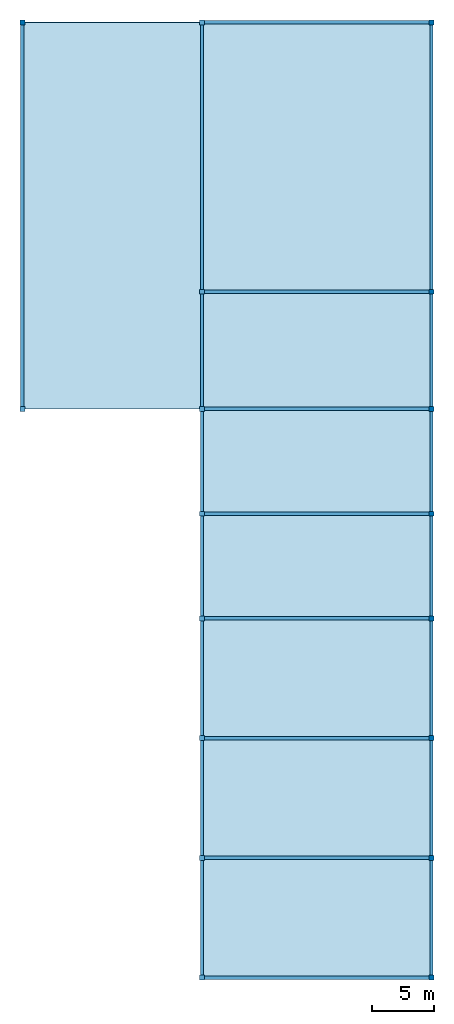
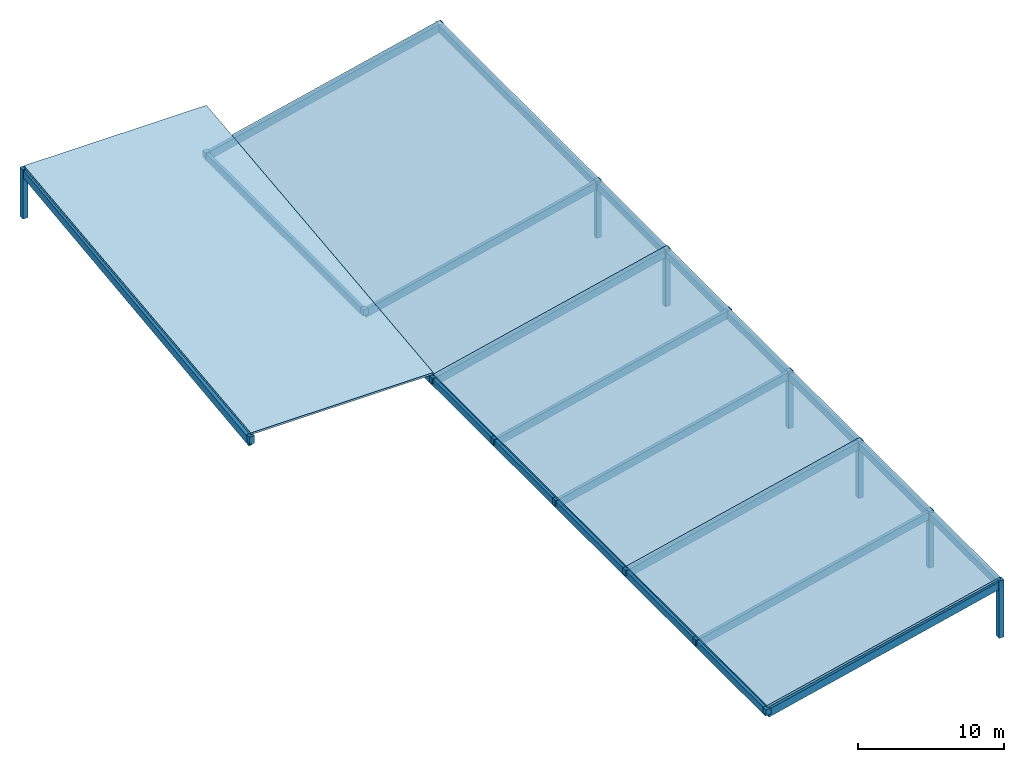
# One storey: 18 columns, 14 beams, 9 members, 4 slabs, 1 element without a shape of its own.
"""IFC4 building model written with IfcOpenShell, lengths in metres."""

import ifcopenshell
import ifcopenshell.guid

model = None  # the IFC model being written
_history = None  # IfcOwnerHistory: only IFC2X3 demands one
_inside = {}  # id of a spatial element -> (the spatial element, [elements in it])
_under = {}  # id of a project, library or spatial element -> (it, [spatial elements below it])
_declared = {}  # id of a project -> (the project, [libraries it declares])
_typed = {}  # id of a type object -> (the type object, [elements of that type])
_made_of = {}  # id of a material, layer set ... -> (it, [elements and type objects made of it])


def new_model(schema):
    """Start an empty IFC model of exactly this schema.

    Asked for "IFC4X3", IfcOpenShell would pick the latest addendum, in which some entities
    have other attributes; the version numbers below select the first issue.
    IFC2X3 requires an IfcOwnerHistory on every rooted entity: one is made here for all.
    """
    global model, _history
    if schema == "IFC4X3":
        model = ifcopenshell.file(schema_version=(4, 3, 0, 0))
    else:
        model = ifcopenshell.file(schema=schema)
    _inside.clear()
    _under.clear()
    _declared.clear()
    _typed.clear()
    _made_of.clear()
    _history = None
    if model.schema == "IFC2X3":
        org = make("IfcOrganization", Name="unknown")
        user = make(
            "IfcPersonAndOrganization",
            ThePerson=make("IfcPerson", FamilyName="unknown"),
            TheOrganization=org,
        )
        app = make(
            "IfcApplication",
            ApplicationDeveloper=org,
            Version="unknown",
            ApplicationFullName="unknown",
            ApplicationIdentifier="unknown",
        )
        _history = make(
            "IfcOwnerHistory",
            OwningUser=user,
            OwningApplication=app,
            ChangeAction="ADDED",
            CreationDate=0,
        )
    return model


def make(cls, **values):
    """One entity of the class cls with the attributes given. An attribute that is None is left unset."""
    return model.create_entity(
        cls, **{name: value for name, value in values.items() if value is not None}
    )


def rooted(cls, **values):
    """An entity with a GlobalId (a new one), such as an element, a storey or a relation."""
    return make(cls, GlobalId=ifcopenshell.guid.new(), OwnerHistory=_history, **values)


def si_unit(unit_type, name, prefix=None):
    """IfcSIUnit, for example si_unit("LENGTHUNIT", "METRE", prefix="MILLI")."""
    return make("IfcSIUnit", UnitType=unit_type, Prefix=prefix, Name=name)


def assignment(units):
    """IfcUnitAssignment: the units of a project."""
    return None if units is None else make("IfcUnitAssignment", Units=units)


def point(xyz):
    """IfcCartesianPoint."""
    return None if xyz is None else make("IfcCartesianPoint", Coordinates=xyz)


def direction(xyz):
    """IfcDirection."""
    return None if xyz is None else make("IfcDirection", DirectionRatios=xyz)


def frame(location, z_axis=None, x_axis=None):
    """IfcAxis2Placement3D, a coordinate frame: its origin and axes. An axis left out is left unset."""
    return make(
        "IfcAxis2Placement3D",
        Location=point(location),
        Axis=direction(z_axis),
        RefDirection=direction(x_axis),
    )


def frame_2d(location, x_axis=None):
    """IfcAxis2Placement2D, a coordinate frame in the plane: its origin and x axis."""
    return make(
        "IfcAxis2Placement2D", Location=point(location), RefDirection=direction(x_axis)
    )


def origin():
    """The frame at (0, 0, 0) with its axes left unset."""
    return frame((0.0, 0.0, 0.0))


def origin_2d():
    """The frame at (0, 0) in the plane with its x axis left unset."""
    return frame_2d((0.0, 0.0))


def place(relative_to, where):
    """IfcLocalPlacement: puts the frame where relative to a parent placement (None: the world)."""
    return make(
        "IfcLocalPlacement", PlacementRelTo=relative_to, RelativePlacement=where
    )


def context(
    kind, dimensions, precision=None, world=None, true_north=None, identifier=None
):
    """IfcGeometricRepresentationContext, for example the 3D "Model" context."""
    return make(
        "IfcGeometricRepresentationContext",
        ContextIdentifier=identifier,
        ContextType=kind,
        CoordinateSpaceDimension=dimensions,
        Precision=precision,
        WorldCoordinateSystem=world,
        TrueNorth=true_north,
    )


def subcontext(parent, identifier, kind, view, scale=None):
    """IfcGeometricRepresentationSubContext, for example "Body" below "Model"."""
    return make(
        "IfcGeometricRepresentationSubContext",
        ContextIdentifier=identifier,
        ContextType=kind,
        ParentContext=parent,
        TargetScale=scale,
        TargetView=view,
    )


def project(units=None, contexts=None):
    """IfcProject with its units and contexts."""
    return rooted(
        "IfcProject",
        Name="project",
        RepresentationContexts=contexts,
        UnitsInContext=assignment(units),
    )


def spatial(cls, under=None, at=None, **own):
    """A site, building, storey or space (cls), placed at a placement, below another one or the project."""
    s = rooted(cls, ObjectPlacement=at, **own)
    if under is not None:
        _under.setdefault(under.id(), (under, []))[1].append(s)
    return s


def polyline(points):
    """IfcPolyline through the points."""
    return make("IfcPolyline", Points=[point(p) for p in points])


def profile(cls, at=None, kind="AREA", **sizes):
    """A parametric profile (cls). Its sizes go by their IFC names, for example OverallWidth=200.0."""
    return make(cls, ProfileType=kind, Position=at, **sizes)


def rectangle(**sizes):
    """IfcRectangleProfileDef."""
    return profile("IfcRectangleProfileDef", **sizes)


def outline(outer, holes=None, kind="AREA"):
    """IfcArbitraryClosedProfileDef: a profile drawn as a closed curve; with holes, ...WithVoids."""
    if holes is None:
        return make("IfcArbitraryClosedProfileDef", ProfileType=kind, OuterCurve=outer)
    return make(
        "IfcArbitraryProfileDefWithVoids",
        ProfileType=kind,
        OuterCurve=outer,
        InnerCurves=holes,
    )


def extrude(swept, where, along, depth):
    """IfcExtrudedAreaSolid: the profile swept, set in the frame where, extruded along a direction by depth."""
    return make(
        "IfcExtrudedAreaSolid",
        SweptArea=swept,
        Position=where,
        ExtrudedDirection=direction(along),
        Depth=depth,
    )


def shape(context_of_items, identifier, shape_type, items):
    """IfcShapeRepresentation: the items that make up one representation, for example the "Body"."""
    return make(
        "IfcShapeRepresentation",
        ContextOfItems=context_of_items,
        RepresentationIdentifier=identifier,
        RepresentationType=shape_type,
        Items=items,
    )


def material(Name=None, Category=None):
    """IfcMaterial."""
    return make("IfcMaterial", Name=Name, Category=Category)


def layer(
    of_material, thickness, ventilated=None, Name=None, Category=None, Priority=None
):
    """IfcMaterialLayer: one layer of a wall or slab, of a material (None: an air gap)."""
    return make(
        "IfcMaterialLayer",
        Material=of_material,
        LayerThickness=thickness,
        IsVentilated=ventilated,
        Name=Name,
        Category=Category,
        Priority=Priority,
    )


def layer_set(layers, Name=None):
    """IfcMaterialLayerSet."""
    return make("IfcMaterialLayerSet", MaterialLayers=layers, LayerSetName=Name)


def material_profile(
    of_material, cross_section, Name=None, Category=None, Priority=None
):
    """IfcMaterialProfile: a cross section and its material."""
    return make(
        "IfcMaterialProfile",
        Name=Name,
        Material=of_material,
        Profile=cross_section,
        Priority=Priority,
        Category=Category,
    )


def profile_set(profiles, Name=None, composite=None):
    """IfcMaterialProfileSet."""
    return make(
        "IfcMaterialProfileSet",
        Name=Name,
        MaterialProfiles=profiles,
        CompositeProfile=composite,
    )


def made_of(thing, what):
    """Note that an element or type object is made of a material, layer set ...; save() writes the relation."""
    if what is not None:
        _made_of.setdefault(what.id(), (what, []))[1].append(thing)
    return thing


def type_object(cls, material=None, **own):
    """A type object (cls), such as IfcWallType, which elements share."""
    return made_of(rooted(cls, **own), material)


def element(
    cls,
    number,
    at=None,
    inside=None,
    cuts=None,
    type_object=None,
    material=None,
    context=None,
    identifier="Body",
    shape_type=None,
    held_by="IfcProductDefinitionShape",
    body=None,
    shapes=None,
    **own,
):
    """One element of the class cls, such as IfcWall. Its Tag is "e" and its number.

    at: its placement. inside: the storey or other place that contains it. cuts: it is an
    opening in that element (IfcRelVoidsElement). A single representation is given by context,
    identifier, shape_type and body (its items); several are given by shapes. held_by: the class
    of the entity that holds the representations. save() writes the other relations.
    """
    e = rooted(cls, Tag="e%d" % number, ObjectPlacement=at, **own)
    if body is not None:
        shapes = [shape(context, identifier, shape_type, body)]
    if shapes is not None:
        e.Representation = make(held_by, Representations=shapes)
    if inside is not None:
        _inside.setdefault(inside.id(), (inside, []))[1].append(e)
    if cuts is not None:
        rooted(
            "IfcRelVoidsElement", RelatingBuildingElement=cuts, RelatedOpeningElement=e
        )
    if type_object is not None:
        _typed.setdefault(type_object.id(), (type_object, []))[1].append(e)
    return made_of(e, material)


def aggregate(whole, parts):
    """IfcRelAggregates: a whole, such as a stair, and the parts it consists of."""
    return rooted("IfcRelAggregates", RelatingObject=whole, RelatedObjects=parts)


def save(model, path):
    """Write the relations noted so far, then the file.

    IfcRelAggregates (storeys below a building ...), IfcRelContainedInSpatialStructure (elements
    in a storey), IfcRelDefinesByType, IfcRelAssociatesMaterial and IfcRelDeclares: one each for
    every whole, place, type object, material and project.
    """
    for whole, parts in _under.values():
        aggregate(whole, parts)
    for where, things in _inside.values():
        rooted(
            "IfcRelContainedInSpatialStructure",
            RelatedElements=things,
            RelatingStructure=where,
        )
    for kind, things in _typed.values():
        rooted("IfcRelDefinesByType", RelatedObjects=things, RelatingType=kind)
    for what, things in _made_of.values():
        rooted("IfcRelAssociatesMaterial", RelatedObjects=things, RelatingMaterial=what)
    for by, libraries in _declared.values():
        rooted("IfcRelDeclares", RelatingContext=by, RelatedDefinitions=libraries)
    model.write(path)


model = new_model("IFC4")

# Units and contexts
model_context = context("Model", 3, precision=1e-05, world=origin(), true_north=direction((0.0, 1.0)))
body_context = subcontext(model_context, "Body", "Model", "MODEL_VIEW")
ifc_project = project(units=[si_unit("LENGTHUNIT", "METRE"), si_unit("AREAUNIT", "SQUARE_METRE"), si_unit("VOLUMEUNIT", "CUBIC_METRE"), si_unit("PLANEANGLEUNIT", "RADIAN"), si_unit("MASSUNIT", "GRAM", prefix="KILO")], contexts=[model_context])

# Site, building, storey
site_placement = place(None, origin())
site = spatial("IfcSite", under=ifc_project, at=site_placement, CompositionType="ELEMENT")
building_placement = place(site_placement, origin())
building = spatial("IfcBuilding", under=site, at=building_placement, Name="Veldera Park Congress Hotel", CompositionType="ELEMENT")
storey_placement = place(building_placement, frame((0.0, 0.0, 50.800048828125)))
storey = spatial("IfcBuildingStorey", under=building, at=storey_placement, Name="RF", CompositionType="ELEMENT", Elevation=50.800048828125)

# Columns
ifc_material_1 = material(Name="Glulam GL28h (NDS 24F-V4)", Category="wood")
ifc_material_profile_1 = material_profile(ifc_material_1, rectangle(XDim=0.389892578125, YDim=0.389892578125, at=origin_2d()), Name="GL28h 390x390")
ifc_profile_set_1 = profile_set([ifc_material_profile_1], Name="Glulam GL28h (NDS 24F-V4)")
column_type = type_object("IfcColumnType", Name="COL-GL36E", PredefinedType="COLUMN", material=ifc_profile_set_1)
column_1_placement = place(storey_placement, frame((65.60009765625, -18.60009765625, 0.0), z_axis=(0.0, 0.0, 1.0), x_axis=(1.0, 0.0, 0.0)))
element("IfcColumn", 1, at=column_1_placement, inside=storey, type_object=column_type, Name="RF Column COL-GL36E (65.6,-18.6)", PredefinedType="COLUMN", context=body_context, shape_type="SweptSolid", body=[
    extrude(rectangle(XDim=0.389892578125, YDim=0.389892578125, at=origin_2d()), origin(), (0.0, 0.0, 1.0), 0.47998046875),
])
column_2_placement = place(storey_placement, frame((84.0, -18.60009765625, 0.0), z_axis=(0.0, 0.0, 1.0), x_axis=(1.0, 0.0, 0.0)))
element("IfcColumn", 2, at=column_2_placement, inside=storey, type_object=column_type, Name="RF Column COL-GL36E (84.0,-18.6)", PredefinedType="COLUMN", context=body_context, shape_type="SweptSolid", body=[
    extrude(rectangle(XDim=0.389892578125, YDim=0.389892578125, at=origin_2d()), origin(), (0.0, 0.0, 1.0), 4.77001953125),
])
column_3_placement = place(storey_placement, frame((65.60009765625, -9.0, 0.0), z_axis=(0.0, 0.0, 1.0), x_axis=(1.0, 0.0, 0.0)))
element("IfcColumn", 3, at=column_3_placement, inside=storey, type_object=column_type, Name="RF Column COL-GL36E (65.6,-9.0)", PredefinedType="COLUMN", context=body_context, shape_type="SweptSolid", body=[
    extrude(rectangle(XDim=0.389892578125, YDim=0.389892578125, at=origin_2d()), origin(), (0.0, 0.0, 1.0), 0.47998046875),
])
column_4_placement = place(storey_placement, frame((84.0, -9.0, 0.0), z_axis=(0.0, 0.0, 1.0), x_axis=(1.0, 0.0, 0.0)))
element("IfcColumn", 4, at=column_4_placement, inside=storey, type_object=column_type, Name="RF Column COL-GL36E (84.0,-9.0)", PredefinedType="COLUMN", context=body_context, shape_type="SweptSolid", body=[
    extrude(rectangle(XDim=0.389892578125, YDim=0.389892578125, at=origin_2d()), origin(), (0.0, 0.0, 1.0), 4.77001953125),
])
column_5_placement = place(storey_placement, frame((65.60009765625, 0.60009765625, 0.0), z_axis=(0.0, 0.0, 1.0), x_axis=(1.0, 0.0, 0.0)))
element("IfcColumn", 5, at=column_5_placement, inside=storey, type_object=column_type, Name="RF Column COL-GL36E (65.6,0.6)", PredefinedType="COLUMN", context=body_context, shape_type="SweptSolid", body=[
    extrude(rectangle(XDim=0.389892578125, YDim=0.389892578125, at=origin_2d()), origin(), (0.0, 0.0, 1.0), 0.47998046875),
])
column_6_placement = place(storey_placement, frame((84.0, 0.60009765625, 0.0), z_axis=(0.0, 0.0, 1.0), x_axis=(1.0, 0.0, 0.0)))
element("IfcColumn", 6, at=column_6_placement, inside=storey, type_object=column_type, Name="RF Column COL-GL36E (84.0,0.6)", PredefinedType="COLUMN", context=body_context, shape_type="SweptSolid", body=[
    extrude(rectangle(XDim=0.389892578125, YDim=0.389892578125, at=origin_2d()), origin(), (0.0, 0.0, 1.0), 4.77001953125),
])
column_7_placement = place(storey_placement, frame((65.60009765625, 10.199951171875, 0.0), z_axis=(0.0, 0.0, 1.0), x_axis=(1.0, 0.0, 0.0)))
element("IfcColumn", 7, at=column_7_placement, inside=storey, type_object=column_type, Name="RF Column COL-GL36E (65.6,10.2)", PredefinedType="COLUMN", context=body_context, shape_type="SweptSolid", body=[
    extrude(rectangle(XDim=0.389892578125, YDim=0.389892578125, at=origin_2d()), origin(), (0.0, 0.0, 1.0), 0.47998046875),
])
column_8_placement = place(storey_placement, frame((84.0, 10.199951171875, 0.0), z_axis=(0.0, 0.0, 1.0), x_axis=(1.0, 0.0, 0.0)))
element("IfcColumn", 8, at=column_8_placement, inside=storey, type_object=column_type, Name="RF Column COL-GL36E (84.0,10.2)", PredefinedType="COLUMN", context=body_context, shape_type="SweptSolid", body=[
    extrude(rectangle(XDim=0.389892578125, YDim=0.389892578125, at=origin_2d()), origin(), (0.0, 0.0, 1.0), 4.77001953125),
])
column_9_placement = place(storey_placement, frame((65.60009765625, 18.60009765625, 0.0), z_axis=(0.0, 0.0, 1.0), x_axis=(1.0, 0.0, 0.0)))
element("IfcColumn", 9, at=column_9_placement, inside=storey, type_object=column_type, Name="RF Column COL-GL36E (65.6,18.6)", PredefinedType="COLUMN", context=body_context, shape_type="SweptSolid", body=[
    extrude(rectangle(XDim=0.389892578125, YDim=0.389892578125, at=origin_2d()), origin(), (0.0, 0.0, 1.0), 0.47998046875),
])
column_10_placement = place(storey_placement, frame((84.0, 18.60009765625, 0.0), z_axis=(0.0, 0.0, 1.0), x_axis=(1.0, 0.0, 0.0)))
element("IfcColumn", 10, at=column_10_placement, inside=storey, type_object=column_type, Name="RF Column COL-GL36E (84.0,18.6)", PredefinedType="COLUMN", context=body_context, shape_type="SweptSolid", body=[
    extrude(rectangle(XDim=0.389892578125, YDim=0.389892578125, at=origin_2d()), origin(), (0.0, 0.0, 1.0), 4.77001953125),
])
column_11_placement = place(storey_placement, frame((65.60009765625, 27.0, 0.0), z_axis=(0.0, 0.0, 1.0), x_axis=(1.0, 0.0, 0.0)))
element("IfcColumn", 11, at=column_11_placement, inside=storey, type_object=column_type, Name="RF Column COL-GL36E (65.6,27.0)", PredefinedType="COLUMN", context=body_context, shape_type="SweptSolid", body=[
    extrude(rectangle(XDim=0.389892578125, YDim=0.389892578125, at=origin_2d()), origin(), (0.0, 0.0, 1.0), 0.47998046875),
])
column_12_placement = place(storey_placement, frame((84.0, 27.0, 0.0), z_axis=(0.0, 0.0, 1.0), x_axis=(1.0, 0.0, 0.0)))
element("IfcColumn", 12, at=column_12_placement, inside=storey, type_object=column_type, Name="RF Column COL-GL36E (84.0,27.0)", PredefinedType="COLUMN", context=body_context, shape_type="SweptSolid", body=[
    extrude(rectangle(XDim=0.389892578125, YDim=0.389892578125, at=origin_2d()), origin(), (0.0, 0.0, 1.0), 4.77001953125),
])
column_13_placement = place(storey_placement, frame((65.60009765625, 36.39990234375, 0.0), z_axis=(0.0, 0.0, 1.0), x_axis=(1.0, 0.0, 0.0)))
element("IfcColumn", 13, at=column_13_placement, inside=storey, type_object=column_type, Name="RF Column COL-GL36E (65.6,36.4)", PredefinedType="COLUMN", context=body_context, shape_type="SweptSolid", body=[
    extrude(rectangle(XDim=0.389892578125, YDim=0.389892578125, at=origin_2d()), origin(), (0.0, 0.0, 1.0), 0.47998046875),
])
column_14_placement = place(storey_placement, frame((84.0, 36.39990234375, 0.0), z_axis=(0.0, 0.0, 1.0), x_axis=(1.0, 0.0, 0.0)))
element("IfcColumn", 14, at=column_14_placement, inside=storey, type_object=column_type, Name="RF Column COL-GL36E (84.0,36.4)", PredefinedType="COLUMN", context=body_context, shape_type="SweptSolid", body=[
    extrude(rectangle(XDim=0.389892578125, YDim=0.389892578125, at=origin_2d()), origin(), (0.0, 0.0, 1.0), 4.77001953125),
])
column_15_placement = place(storey_placement, frame((65.60009765625, 58.0, 0.0), z_axis=(0.0, 0.0, 1.0), x_axis=(1.0, 0.0, 0.0)))
element("IfcColumn", 15, at=column_15_placement, inside=storey, type_object=column_type, Name="RF Column COL-GL36E (65.6,58.0)", PredefinedType="COLUMN", context=body_context, shape_type="SweptSolid", body=[
    extrude(rectangle(XDim=0.389892578125, YDim=0.389892578125, at=origin_2d()), origin(), (0.0, 0.0, 1.0), 0.47998046875),
])
column_16_placement = place(storey_placement, frame((84.0, 58.0, 0.0), z_axis=(0.0, 0.0, 1.0), x_axis=(1.0, 0.0, 0.0)))
element("IfcColumn", 16, at=column_16_placement, inside=storey, type_object=column_type, Name="RF Column COL-GL36E (84.0,58.0)", PredefinedType="COLUMN", context=body_context, shape_type="SweptSolid", body=[
    extrude(rectangle(XDim=0.389892578125, YDim=0.389892578125, at=origin_2d()), origin(), (0.0, 0.0, 1.0), 4.77001953125),
])
column_17_placement = place(storey_placement, frame((51.199951171875, 27.0, 0.0), z_axis=(0.0, 0.0, 1.0), x_axis=(1.0, 0.0, 0.0)))
element("IfcColumn", 17, at=column_17_placement, inside=storey, type_object=column_type, Name="RF Column COL-GL36E (51.2,27.0)", PredefinedType="COLUMN", context=body_context, shape_type="SweptSolid", body=[
    extrude(rectangle(XDim=0.389892578125, YDim=0.389892578125, at=origin_2d()), origin(), (0.0, 0.0, 1.0), 0.619873046875),
])
column_18_placement = place(storey_placement, frame((51.199951171875, 58.0, 0.0), z_axis=(0.0, 0.0, 1.0), x_axis=(1.0, 0.0, 0.0)))
element("IfcColumn", 18, at=column_18_placement, inside=storey, type_object=column_type, Name="RF Column COL-GL36E (51.2,58.0)", PredefinedType="COLUMN", context=body_context, shape_type="SweptSolid", body=[
    extrude(rectangle(XDim=0.389892578125, YDim=0.389892578125, at=origin_2d()), origin(), (0.0, 0.0, 1.0), 4.119873046875),
])

# Beams
ifc_material_profile_2 = material_profile(ifc_material_1, rectangle(XDim=0.264892578125, YDim=0.580078125, at=origin_2d()), Name="GL28h 265x580")
ifc_profile_set_2 = profile_set([ifc_material_profile_2], Name="Glulam GL28h (NDS 24F-V4)")
beam_type = type_object("IfcBeamType", Name="BM-GL540E", PredefinedType="BEAM", material=ifc_profile_set_2)
for number, where, z_axis, x_axis, name in (
    (19, (65.60009765625, -18.60009765625, 0.119873046875), (0.0, 1.0, 0.0), (-1.0, 0.0, 0.0), "Crown West Eave Beam 11"),
    (20, (84.0, -18.60009765625, 4.300048828125), (0.0, 1.0, 0.0), (-1.0, 0.0, 0.0), "Crown East Ridge Beam 11"),
    (21, (65.60009765625, -9.0, 0.119873046875), (0.0, 1.0, 0.0), (-1.0, 0.0, 0.0), "Crown West Eave Beam 21"),
    (22, (84.0, -9.0, 4.300048828125), (0.0, 1.0, 0.0), (-1.0, 0.0, 0.0), "Crown East Ridge Beam 21"),
):
    element("IfcBeam", number, at=place(storey_placement, frame(where, z_axis=z_axis, x_axis=x_axis)), inside=storey, type_object=beam_type, Name=name, PredefinedType="BEAM", context=body_context, shape_type="SweptSolid", body=[
        extrude(rectangle(XDim=0.264892578125, YDim=0.580078125, at=origin_2d()), origin(), (0.0, 0.0, 1.0), 9.60009765625),
    ])
for number, where, z_axis, x_axis, name in (
    (23, (65.60009765625, 0.60009765625, 0.119873046875), (0.0, 1.0, 0.0), (-1.0, 0.0, 0.0), "Crown West Eave Beam 30"),
    (24, (84.0, 0.60009765625, 4.300048828125), (0.0, 1.0, 0.0), (-1.0, 0.0, 0.0), "Crown East Ridge Beam 30"),
):
    element("IfcBeam", number, at=place(storey_placement, frame(where, z_axis=z_axis, x_axis=x_axis)), inside=storey, type_object=beam_type, Name=name, PredefinedType="BEAM", context=body_context, shape_type="SweptSolid", body=[
        extrude(rectangle(XDim=0.264892578125, YDim=0.580078125, at=origin_2d()), origin(), (0.0, 0.0, 1.0), 9.599853515625),
    ])
for number, where, z_axis, x_axis, name in (
    (25, (65.60009765625, 10.199951171875, 0.119873046875), (0.0, 1.0, 0.0), (-1.0, 0.0, 0.0), "Crown West Eave Beam 40"),
    (26, (84.0, 10.199951171875, 4.300048828125), (0.0, 1.0, 0.0), (-1.0, 0.0, 0.0), "Crown East Ridge Beam 40"),
):
    element("IfcBeam", number, at=place(storey_placement, frame(where, z_axis=z_axis, x_axis=x_axis)), inside=storey, type_object=beam_type, Name=name, PredefinedType="BEAM", context=body_context, shape_type="SweptSolid", body=[
        extrude(rectangle(XDim=0.264892578125, YDim=0.580078125, at=origin_2d()), origin(), (0.0, 0.0, 1.0), 8.400146484375),
    ])
for number, where, z_axis, x_axis, name in (
    (27, (65.60009765625, 18.60009765625, 0.119873046875), (0.0, 1.0, 0.0), (-1.0, 0.0, 0.0), "Crown West Eave Beam 48"),
    (28, (84.0, 18.60009765625, 4.300048828125), (0.0, 1.0, 0.0), (-1.0, 0.0, 0.0), "Crown East Ridge Beam 48"),
):
    element("IfcBeam", number, at=place(storey_placement, frame(where, z_axis=z_axis, x_axis=x_axis)), inside=storey, type_object=beam_type, Name=name, PredefinedType="BEAM", context=body_context, shape_type="SweptSolid", body=[
        extrude(rectangle(XDim=0.264892578125, YDim=0.580078125, at=origin_2d()), origin(), (0.0, 0.0, 1.0), 8.39990234375),
    ])
for number, where, z_axis, x_axis, name in (
    (29, (65.60009765625, 27.0, 0.119873046875), (0.0, 1.0, 0.0), (-1.0, 0.0, 0.0), "Crown West Eave Beam 57"),
    (30, (84.0, 27.0, 4.300048828125), (0.0, 1.0, 0.0), (-1.0, 0.0, 0.0), "Crown East Ridge Beam 57"),
):
    element("IfcBeam", number, at=place(storey_placement, frame(where, z_axis=z_axis, x_axis=x_axis)), inside=storey, type_object=beam_type, Name=name, PredefinedType="BEAM", context=body_context, shape_type="SweptSolid", body=[
        extrude(rectangle(XDim=0.264892578125, YDim=0.580078125, at=origin_2d()), origin(), (0.0, 0.0, 1.0), 9.39990234375),
    ])
for number, where, z_axis, x_axis, name in (
    (31, (65.60009765625, 36.39990234375, 0.119873046875), (0.0, 1.0, 0.0), (-1.0, 0.0, 0.0), "Crown West Eave Beam 66"),
    (32, (84.0, 36.39990234375, 4.300048828125), (0.0, 1.0, 0.0), (-1.0, 0.0, 0.0), "Crown East Ridge Beam 66"),
):
    element("IfcBeam", number, at=place(storey_placement, frame(where, z_axis=z_axis, x_axis=x_axis)), inside=storey, type_object=beam_type, Name=name, PredefinedType="BEAM", context=body_context, shape_type="SweptSolid", body=[
        extrude(rectangle(XDim=0.264892578125, YDim=0.580078125, at=origin_2d()), origin(), (0.0, 0.0, 1.0), 21.60009765625),
    ])

# Roof, members, slabs
ifc_material_2 = material(Name="Cross-laminated timber CLT V2M1.1", Category="wood")
roof_type = type_object("IfcRoofType", Name="ROOF-BUT", PredefinedType="BUTTERFLY_ROOF", material=ifc_material_2)
roof_placement = place(storey_placement, origin())
roof = element("IfcRoof", 33, at=roof_placement, inside=storey, type_object=roof_type, Name="Hotel Crown Sweeping Mass-Timber Roof", PredefinedType="BUTTERFLY_ROOF")
ifc_material_profile_3 = material_profile(ifc_material_1, rectangle(XDim=0.280029296875, YDim=0.639892578125, at=origin_2d()), Name="GL28h 280x640")
ifc_profile_set_3 = profile_set([ifc_material_profile_3], Name="Glulam GL28h (NDS 24F-V4)")
member_type = type_object("IfcMemberType", Name="RAF-GL640", PredefinedType="RAFTER", material=ifc_profile_set_3)
member_1_placement = place(storey_placement, frame((65.60009765625, -18.60009765625, 0.050048828125), z_axis=(0.973175309531, 0.0, 0.230064810258), x_axis=(0.0, 1.0, 0.0)))
member_1 = element("IfcMember", 34, at=member_1_placement, type_object=member_type, Name="Hotel Crown Glulam Rafter 11", PredefinedType="RAFTER", context=body_context, shape_type="SweptSolid", body=[
    extrude(rectangle(XDim=0.280029296875, YDim=0.639892578125, at=origin_2d()), origin(), (0.0, 0.0, 1.0), 18.906982421875),
])
member_2_placement = place(storey_placement, frame((65.60009765625, -9.0, 0.050048828125), z_axis=(0.973175309531, 0.0, 0.230064810258), x_axis=(0.0, 1.0, 0.0)))
member_2 = element("IfcMember", 35, at=member_2_placement, type_object=member_type, Name="Hotel Crown Glulam Rafter 21", PredefinedType="RAFTER", context=body_context, shape_type="SweptSolid", body=[
    extrude(rectangle(XDim=0.280029296875, YDim=0.639892578125, at=origin_2d()), origin(), (0.0, 0.0, 1.0), 18.906982421875),
])
member_3_placement = place(storey_placement, frame((65.60009765625, 0.60009765625, 0.050048828125), z_axis=(0.973175309531, 0.0, 0.230064810258), x_axis=(0.0, 1.0, 0.0)))
member_3 = element("IfcMember", 36, at=member_3_placement, type_object=member_type, Name="Hotel Crown Glulam Rafter 30", PredefinedType="RAFTER", context=body_context, shape_type="SweptSolid", body=[
    extrude(rectangle(XDim=0.280029296875, YDim=0.639892578125, at=origin_2d()), origin(), (0.0, 0.0, 1.0), 18.906982421875),
])
member_4_placement = place(storey_placement, frame((65.60009765625, 10.199951171875, 0.050048828125), z_axis=(0.973175309531, 0.0, 0.230064810258), x_axis=(0.0, 1.0, 0.0)))
member_4 = element("IfcMember", 37, at=member_4_placement, type_object=member_type, Name="Hotel Crown Glulam Rafter 40", PredefinedType="RAFTER", context=body_context, shape_type="SweptSolid", body=[
    extrude(rectangle(XDim=0.280029296875, YDim=0.639892578125, at=origin_2d()), origin(), (0.0, 0.0, 1.0), 18.906982421875),
])
member_5_placement = place(storey_placement, frame((65.60009765625, 18.60009765625, 0.050048828125), z_axis=(0.973175309531, 0.0, 0.230064810258), x_axis=(0.0, 1.0, 0.0)))
member_5 = element("IfcMember", 38, at=member_5_placement, type_object=member_type, Name="Hotel Crown Glulam Rafter 48", PredefinedType="RAFTER", context=body_context, shape_type="SweptSolid", body=[
    extrude(rectangle(XDim=0.280029296875, YDim=0.639892578125, at=origin_2d()), origin(), (0.0, 0.0, 1.0), 18.906982421875),
])
member_6_placement = place(storey_placement, frame((65.60009765625, 27.0, 0.050048828125), z_axis=(0.973175309531, 0.0, 0.230064810258), x_axis=(0.0, 1.0, 0.0)))
member_6 = element("IfcMember", 39, at=member_6_placement, type_object=member_type, Name="Hotel Crown Glulam Rafter 57", PredefinedType="RAFTER", context=body_context, shape_type="SweptSolid", body=[
    extrude(rectangle(XDim=0.280029296875, YDim=0.639892578125, at=origin_2d()), origin(), (0.0, 0.0, 1.0), 18.906982421875),
])
member_7_placement = place(storey_placement, frame((65.60009765625, 36.39990234375, 0.050048828125), z_axis=(0.973175309531, 0.0, 0.230064810258), x_axis=(0.0, 1.0, 0.0)))
member_7 = element("IfcMember", 40, at=member_7_placement, type_object=member_type, Name="Hotel Crown Glulam Rafter 66", PredefinedType="RAFTER", context=body_context, shape_type="SweptSolid", body=[
    extrude(rectangle(XDim=0.280029296875, YDim=0.639892578125, at=origin_2d()), origin(), (0.0, 0.0, 1.0), 18.906982421875),
])
member_8_placement = place(storey_placement, frame((65.60009765625, 58.0, 0.050048828125), z_axis=(0.973175309531, 0.0, 0.230064810258), x_axis=(0.0, 1.0, 0.0)))
member_8 = element("IfcMember", 41, at=member_8_placement, type_object=member_type, Name="Hotel Crown Glulam Rafter 88", PredefinedType="RAFTER", context=body_context, shape_type="SweptSolid", body=[
    extrude(rectangle(XDim=0.280029296875, YDim=0.639892578125, at=origin_2d()), origin(), (0.0, 0.0, 1.0), 18.906982421875),
])
member_9_placement = place(storey_placement, frame((51.199951171875, 27.0, 0.050048828125), z_axis=(0.0, 0.992952604163, 0.118512133916), x_axis=(-1.0, 0.0, 0.0)))
member_9 = element("IfcMember", 42, at=member_9_placement, type_object=member_type, Name="Hotel Crown North Rafter 51", PredefinedType="RAFTER", context=body_context, shape_type="SweptSolid", body=[
    extrude(rectangle(XDim=0.280029296875, YDim=0.639892578125, at=origin_2d()), origin(), (0.0, 0.0, 1.0), 31.219970703125),
])
ifc_layer = layer(ifc_material_2, 0.179931640625)
ifc_layer_set = layer_set([ifc_layer], Name="Cross-laminated timber CLT V2M1.1")
slab_type = type_object("IfcSlabType", Name="RF-DECK180", PredefinedType="ROOF", material=ifc_layer_set)
slab_1_placement = place(storey_placement, frame((65.60009765625, -18.60009765625, 0.64990234375), z_axis=(-0.227567793525, 0.0, 0.973762239641), x_axis=(0.973762239641, 0.0, 0.227567793525)))
slab_1 = element("IfcSlab", 43, at=slab_1_placement, type_object=slab_type, Name="Hotel Crown Sloped Roof East 1", PredefinedType="ROOF", context=body_context, shape_type="SweptSolid", body=[
    extrude(outline(polyline([(0.0, 0.0), (18.895682739287192, 0.0), (18.895682739287192, 19.2001953125), (0.0, 19.2001953125), (0.0, 0.0)])), origin(), (0.0, 0.0, -1.0), 0.179931640625),
])
slab_2_placement = place(storey_placement, frame((65.60009765625, 0.60009765625, 0.64990234375), z_axis=(-0.227567793525, 0.0, 0.973762239641), x_axis=(0.973762239641, 0.0, 0.227567793525)))
slab_2 = element("IfcSlab", 44, at=slab_2_placement, type_object=slab_type, Name="Hotel Crown Sloped Roof East 2", PredefinedType="ROOF", context=body_context, shape_type="SweptSolid", body=[
    extrude(outline(polyline([(0.0, 0.0), (18.895682739287192, 0.0), (18.895682739287192, 26.39990234375), (0.0, 26.39990234375), (0.0, 0.0)])), origin(), (0.0, 0.0, -1.0), 0.179931640625),
])
slab_3_placement = place(storey_placement, frame((65.60009765625, 27.0, 0.64990234375), z_axis=(-0.227567793525, 0.0, 0.973762239641), x_axis=(0.973762239641, 0.0, 0.227567793525)))
slab_3 = element("IfcSlab", 45, at=slab_3_placement, type_object=slab_type, Name="Hotel Crown Sloped Roof East 3", PredefinedType="ROOF", context=body_context, shape_type="SweptSolid", body=[
    extrude(outline(polyline([(0.0, 0.0), (18.895682739287192, 0.0), (18.895682739287192, 31.0), (0.0, 31.0), (0.0, 0.0)])), origin(), (0.0, 0.0, -1.0), 0.179931640625),
])
slab_4_placement = place(storey_placement, frame((51.199951171875, 27.0, 0.7900390625), z_axis=(0.0, -0.112190436608, 0.993686724241), x_axis=(1.0, 0.0, 0.0)))
slab_4 = element("IfcSlab", 46, at=slab_4_placement, type_object=slab_type, Name="Hotel Crown Sloped Roof North Return", PredefinedType="ROOF", context=body_context, shape_type="SweptSolid", body=[
    extrude(outline(polyline([(0.0, 0.0), (14.400146484375, 0.0), (14.400146484375, 31.196954979612993), (0.0, 31.196954979612993), (0.0, 0.0)])), origin(), (0.0, 0.0, -1.0), 0.179931640625),
])
aggregate(roof, [member_1, member_2, member_3, member_4, member_5, member_6, member_7, member_8, slab_1, slab_2, slab_3, member_9, slab_4])

save(model, "model.ifc")
